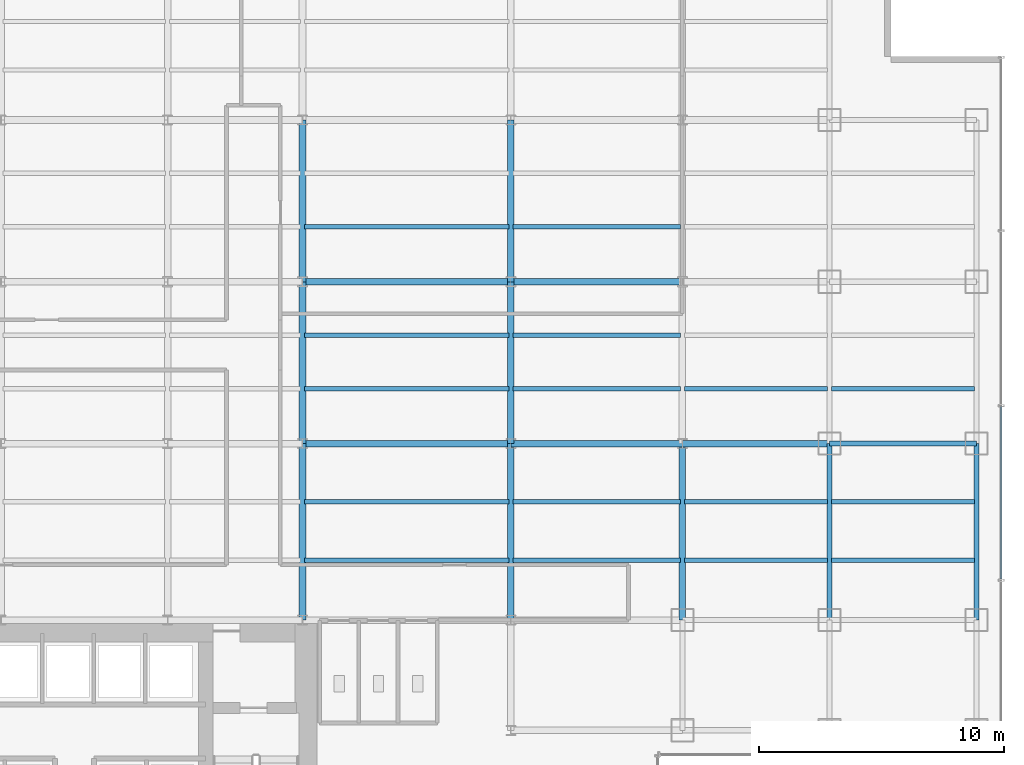
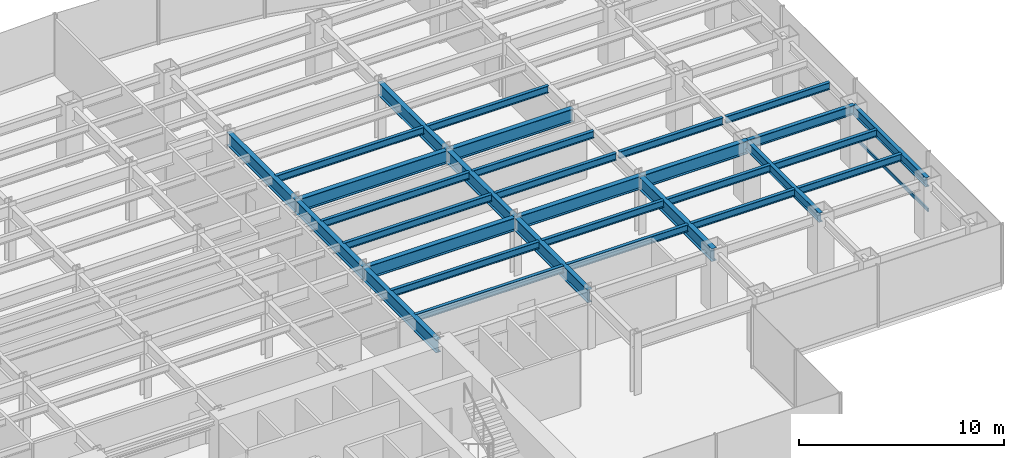
# One storey, part 8 of 23: 31 beams, 1 member, 1 element without a shape of its own.
"""IFC4 building model written with IfcOpenShell, lengths in metres."""

import ifcopenshell
import ifcopenshell.guid

model = None  # the IFC model being written
_history = None  # IfcOwnerHistory: only IFC2X3 demands one
_inside = {}  # id of a spatial element -> (the spatial element, [elements in it])
_under = {}  # id of a project, library or spatial element -> (it, [spatial elements below it])
_declared = {}  # id of a project -> (the project, [libraries it declares])
_typed = {}  # id of a type object -> (the type object, [elements of that type])
_made_of = {}  # id of a material, layer set ... -> (it, [elements and type objects made of it])


def new_model(schema):
    """Start an empty IFC model of exactly this schema.

    Asked for "IFC4X3", IfcOpenShell would pick the latest addendum, in which some entities
    have other attributes; the version numbers below select the first issue.
    IFC2X3 requires an IfcOwnerHistory on every rooted entity: one is made here for all.
    """
    global model, _history
    if schema == "IFC4X3":
        model = ifcopenshell.file(schema_version=(4, 3, 0, 0))
    else:
        model = ifcopenshell.file(schema=schema)
    _inside.clear()
    _under.clear()
    _declared.clear()
    _typed.clear()
    _made_of.clear()
    _history = None
    if model.schema == "IFC2X3":
        org = make("IfcOrganization", Name="unknown")
        user = make(
            "IfcPersonAndOrganization",
            ThePerson=make("IfcPerson", FamilyName="unknown"),
            TheOrganization=org,
        )
        app = make(
            "IfcApplication",
            ApplicationDeveloper=org,
            Version="unknown",
            ApplicationFullName="unknown",
            ApplicationIdentifier="unknown",
        )
        _history = make(
            "IfcOwnerHistory",
            OwningUser=user,
            OwningApplication=app,
            ChangeAction="ADDED",
            CreationDate=0,
        )
    return model


def make(cls, **values):
    """One entity of the class cls with the attributes given. An attribute that is None is left unset."""
    return model.create_entity(
        cls, **{name: value for name, value in values.items() if value is not None}
    )


def rooted(cls, **values):
    """An entity with a GlobalId (a new one), such as an element, a storey or a relation."""
    return make(cls, GlobalId=ifcopenshell.guid.new(), OwnerHistory=_history, **values)


def si_unit(unit_type, name, prefix=None):
    """IfcSIUnit, for example si_unit("LENGTHUNIT", "METRE", prefix="MILLI")."""
    return make("IfcSIUnit", UnitType=unit_type, Prefix=prefix, Name=name)


def derived_unit(unit_type, elements):
    """IfcDerivedUnit: a product of units, each with its exponent."""
    return make(
        "IfcDerivedUnit",
        Elements=[
            make("IfcDerivedUnitElement", Unit=unit, Exponent=power)
            for unit, power in elements
        ],
        UnitType=unit_type,
    )


def assignment(units):
    """IfcUnitAssignment: the units of a project."""
    return None if units is None else make("IfcUnitAssignment", Units=units)


def point(xyz):
    """IfcCartesianPoint."""
    return None if xyz is None else make("IfcCartesianPoint", Coordinates=xyz)


def direction(xyz):
    """IfcDirection."""
    return None if xyz is None else make("IfcDirection", DirectionRatios=xyz)


def frame(location, z_axis=None, x_axis=None):
    """IfcAxis2Placement3D, a coordinate frame: its origin and axes. An axis left out is left unset."""
    return make(
        "IfcAxis2Placement3D",
        Location=point(location),
        Axis=direction(z_axis),
        RefDirection=direction(x_axis),
    )


def frame_2d(location, x_axis=None):
    """IfcAxis2Placement2D, a coordinate frame in the plane: its origin and x axis."""
    return make(
        "IfcAxis2Placement2D", Location=point(location), RefDirection=direction(x_axis)
    )


def origin():
    """The frame at (0, 0, 0) with its axes left unset."""
    return frame((0.0, 0.0, 0.0))


def origin_2d():
    """The frame at (0, 0) in the plane with its x axis left unset."""
    return frame_2d((0.0, 0.0))


def place(relative_to, where):
    """IfcLocalPlacement: puts the frame where relative to a parent placement (None: the world)."""
    return make(
        "IfcLocalPlacement", PlacementRelTo=relative_to, RelativePlacement=where
    )


def context(
    kind, dimensions, precision=None, world=None, true_north=None, identifier=None
):
    """IfcGeometricRepresentationContext, for example the 3D "Model" context."""
    return make(
        "IfcGeometricRepresentationContext",
        ContextIdentifier=identifier,
        ContextType=kind,
        CoordinateSpaceDimension=dimensions,
        Precision=precision,
        WorldCoordinateSystem=world,
        TrueNorth=true_north,
    )


def subcontext(parent, identifier, kind, view, scale=None):
    """IfcGeometricRepresentationSubContext, for example "Body" below "Model"."""
    return make(
        "IfcGeometricRepresentationSubContext",
        ContextIdentifier=identifier,
        ContextType=kind,
        ParentContext=parent,
        TargetScale=scale,
        TargetView=view,
    )


def project(units=None, contexts=None):
    """IfcProject with its units and contexts."""
    return rooted(
        "IfcProject",
        Name="project",
        RepresentationContexts=contexts,
        UnitsInContext=assignment(units),
    )


def spatial(cls, under=None, at=None, **own):
    """A site, building, storey or space (cls), placed at a placement, below another one or the project."""
    s = rooted(cls, ObjectPlacement=at, **own)
    if under is not None:
        _under.setdefault(under.id(), (under, []))[1].append(s)
    return s


def profile(cls, at=None, kind="AREA", **sizes):
    """A parametric profile (cls). Its sizes go by their IFC names, for example OverallWidth=200.0."""
    return make(cls, ProfileType=kind, Position=at, **sizes)


def hollow_rectangle(**sizes):
    """IfcRectangleHollowProfileDef."""
    return profile("IfcRectangleHollowProfileDef", **sizes)


def i_section(**sizes):
    """IfcIShapeProfileDef."""
    return profile("IfcIShapeProfileDef", **sizes)


def extrude(swept, where, along, depth):
    """IfcExtrudedAreaSolid: the profile swept, set in the frame where, extruded along a direction by depth."""
    return make(
        "IfcExtrudedAreaSolid",
        SweptArea=swept,
        Position=where,
        ExtrudedDirection=direction(along),
        Depth=depth,
    )


def shape(context_of_items, identifier, shape_type, items):
    """IfcShapeRepresentation: the items that make up one representation, for example the "Body"."""
    return make(
        "IfcShapeRepresentation",
        ContextOfItems=context_of_items,
        RepresentationIdentifier=identifier,
        RepresentationType=shape_type,
        Items=items,
    )


def source(mapping_origin, context_of_items, identifier, shape_type, items):
    """IfcRepresentationMap: a shape defined once, which mapped items show again and again."""
    return make(
        "IfcRepresentationMap",
        MappingOrigin=mapping_origin,
        MappedRepresentation=shape(context_of_items, identifier, shape_type, items),
    )


def transform(
    local_origin,
    x_axis=None,
    y_axis=None,
    z_axis=None,
    scale=None,
    scale2=None,
    scale3=None,
    uniform=True,
):
    """IfcCartesianTransformationOperator3D, or its non-uniform kind. x_axis, y_axis, z_axis: its Axis1, 2, 3."""
    if uniform:
        return make(
            "IfcCartesianTransformationOperator3D",
            Axis1=direction(x_axis),
            Axis2=direction(y_axis),
            LocalOrigin=point(local_origin),
            Scale=scale,
            Axis3=direction(z_axis),
        )
    return make(
        "IfcCartesianTransformationOperator3DnonUniform",
        Axis1=direction(x_axis),
        Axis2=direction(y_axis),
        LocalOrigin=point(local_origin),
        Scale=scale,
        Axis3=direction(z_axis),
        Scale2=scale2,
        Scale3=scale3,
    )


def mapped(mapping_source, mapping_target):
    """IfcMappedItem: shows the shape of a source again, moved by a transform."""
    return make(
        "IfcMappedItem", MappingSource=mapping_source, MappingTarget=mapping_target
    )


def material(Name=None, Category=None):
    """IfcMaterial."""
    return make("IfcMaterial", Name=Name, Category=Category)


def material_profile(
    of_material, cross_section, Name=None, Category=None, Priority=None
):
    """IfcMaterialProfile: a cross section and its material."""
    return make(
        "IfcMaterialProfile",
        Name=Name,
        Material=of_material,
        Profile=cross_section,
        Priority=Priority,
        Category=Category,
    )


def profile_set(profiles, Name=None, composite=None):
    """IfcMaterialProfileSet."""
    return make(
        "IfcMaterialProfileSet",
        Name=Name,
        MaterialProfiles=profiles,
        CompositeProfile=composite,
    )


def made_of(thing, what):
    """Note that an element or type object is made of a material, layer set ...; save() writes the relation."""
    if what is not None:
        _made_of.setdefault(what.id(), (what, []))[1].append(thing)
    return thing


def type_object(cls, material=None, **own):
    """A type object (cls), such as IfcWallType, which elements share."""
    return made_of(rooted(cls, **own), material)


def element(
    cls,
    number,
    at=None,
    inside=None,
    cuts=None,
    type_object=None,
    material=None,
    context=None,
    identifier="Body",
    shape_type=None,
    held_by="IfcProductDefinitionShape",
    body=None,
    shapes=None,
    **own,
):
    """One element of the class cls, such as IfcWall. Its Tag is "e" and its number.

    at: its placement. inside: the storey or other place that contains it. cuts: it is an
    opening in that element (IfcRelVoidsElement). A single representation is given by context,
    identifier, shape_type and body (its items); several are given by shapes. held_by: the class
    of the entity that holds the representations. save() writes the other relations.
    """
    e = rooted(cls, Tag="e%d" % number, ObjectPlacement=at, **own)
    if body is not None:
        shapes = [shape(context, identifier, shape_type, body)]
    if shapes is not None:
        e.Representation = make(held_by, Representations=shapes)
    if inside is not None:
        _inside.setdefault(inside.id(), (inside, []))[1].append(e)
    if cuts is not None:
        rooted(
            "IfcRelVoidsElement", RelatingBuildingElement=cuts, RelatedOpeningElement=e
        )
    if type_object is not None:
        _typed.setdefault(type_object.id(), (type_object, []))[1].append(e)
    return made_of(e, material)


def aggregate(whole, parts):
    """IfcRelAggregates: a whole, such as a stair, and the parts it consists of."""
    return rooted("IfcRelAggregates", RelatingObject=whole, RelatedObjects=parts)


def save(model, path):
    """Write the relations noted so far, then the file.

    IfcRelAggregates (storeys below a building ...), IfcRelContainedInSpatialStructure (elements
    in a storey), IfcRelDefinesByType, IfcRelAssociatesMaterial and IfcRelDeclares: one each for
    every whole, place, type object, material and project.
    """
    for whole, parts in _under.values():
        aggregate(whole, parts)
    for where, things in _inside.values():
        rooted(
            "IfcRelContainedInSpatialStructure",
            RelatedElements=things,
            RelatingStructure=where,
        )
    for kind, things in _typed.values():
        rooted("IfcRelDefinesByType", RelatedObjects=things, RelatingType=kind)
    for what, things in _made_of.values():
        rooted("IfcRelAssociatesMaterial", RelatedObjects=things, RelatingMaterial=what)
    for by, libraries in _declared.values():
        rooted("IfcRelDeclares", RelatingContext=by, RelatedDefinitions=libraries)
    model.write(path)


model = new_model("IFC4")

# Units and contexts
model_context = context("Model", 3, precision=1e-05, world=origin(), true_north=direction((0.0, 1.0)))
body_context = subcontext(model_context, "Body", "Model", "MODEL_VIEW")
ifc_project = project(units=[si_unit("LENGTHUNIT", "METRE"), si_unit("AREAUNIT", "SQUARE_METRE"), si_unit("VOLUMEUNIT", "CUBIC_METRE"), si_unit("PLANEANGLEUNIT", "RADIAN"), si_unit("MASSUNIT", "GRAM", prefix="KILO"), derived_unit("THERMALTRANSMITTANCEUNIT", [(si_unit("POWERUNIT", "WATT"), 1), (si_unit("LENGTHUNIT", "METRE"), -2), (si_unit("THERMODYNAMICTEMPERATUREUNIT", "KELVIN"), -1)])], contexts=[model_context])

# Site, building, storey
site_placement = place(None, origin())
site = spatial("IfcSite", under=ifc_project, at=site_placement, CompositionType="ELEMENT")
building_placement = place(site_placement, origin())
building = spatial("IfcBuilding", under=site, at=building_placement, Name="Skarnbrae Concourse Arena and Tower", CompositionType="ELEMENT")
storey_placement = place(building_placement, frame((0.0, 0.0, 43.449951171875)))
storey = spatial("IfcBuildingStorey", under=building, at=storey_placement, Name="L09", CompositionType="ELEMENT", Elevation=43.449951171875)

# Beams
ifc_material_1 = material(Name="Steel CSA G40.21 350W", Category="steel")
ifc_material_profile_1 = material_profile(ifc_material_1, i_section(OverallWidth=0.26806640625, OverallDepth=0.77001953125, WebThickness=0.015625, FlangeThickness=0.025390625, at=origin_2d()), Name="W760X196")
ifc_profile_set_1 = profile_set([ifc_material_profile_1], Name="Steel CSA G40.21 350W")
beam_type_1 = type_object("IfcBeamType", Name="BM-GIRD-W760X196", PredefinedType="BEAM", material=ifc_profile_set_1)
shared_shape_1 = source(origin(), body_context, "Body", "SweptSolid", [
    extrude(i_section(OverallWidth=0.26806640625, OverallDepth=0.77001953125, WebThickness=0.015625, FlangeThickness=0.025390625, at=origin_2d()), origin(), (0.0, 0.0, 1.0), 7.0),
])
for number, where, z_axis, x_axis, name in (
    (1, (42.0, 21.199951171875, 3.01513671875), (1.0, 0.0, 0.0), (0.0, 1.0, 0.0), "L09 Primary E-W girder Y21.2-7"),
    (2, (42.0, 27.800048828125, 3.01513671875), (1.0, 0.0, 0.0), (0.0, 1.0, 0.0), "L09 Primary E-W girder Y27.8-7"),
):
    element("IfcBeam", number, at=place(storey_placement, frame(where, z_axis=z_axis, x_axis=x_axis)), inside=storey, type_object=beam_type_1, Name=name, PredefinedType="BEAM", context=body_context, shape_type="MappedRepresentation", body=[
        mapped(shared_shape_1, transform((0.0, 0.0, 0.0))),
    ])
ifc_material_profile_2 = material_profile(ifc_material_1, i_section(OverallWidth=0.214111328125, OverallDepth=0.549072265625, WebThickness=0.0146484375, FlangeThickness=0.023681640625, at=origin_2d()), Name="W530X138")
ifc_profile_set_2 = profile_set([ifc_material_profile_2], Name="Steel CSA G40.21 350W")
beam_type_2 = type_object("IfcBeamType", Name="BM-SPAN-W530X138", PredefinedType="SPANDREL", material=ifc_profile_set_2)
shared_shape_2 = source(origin(), body_context, "Body", "SweptSolid", [
    extrude(i_section(OverallWidth=0.214111328125, OverallDepth=0.549072265625, WebThickness=0.0146484375, FlangeThickness=0.023681640625, at=origin_2d()), origin(), (0.0, 0.0, 1.0), 6.0),
])
beam_1_placement = place(storey_placement, frame((55.0, 21.199951171875, 3.12548828125), z_axis=(1.0, 0.0, 0.0), x_axis=(0.0, 1.0, 0.0)))
element("IfcBeam", 3, at=beam_1_placement, inside=storey, type_object=beam_type_2, Name="L09 Perimeter spandrel Y21.2-9", PredefinedType="SPANDREL", context=body_context, shape_type="MappedRepresentation", body=[
    mapped(shared_shape_2, transform((0.0, 0.0, 0.0))),
])
shared_shape_3 = source(origin(), body_context, "Body", "SweptSolid", [
    extrude(i_section(OverallWidth=0.26806640625, OverallDepth=0.77001953125, WebThickness=0.015625, FlangeThickness=0.025390625, at=origin_2d()), origin(), (0.0, 0.0, 1.0), 6.60009765625),
])
for number, where, z_axis, x_axis, name in (
    (4, (33.5, 21.199951171875, 3.01513671875), (0.0, 1.0, 0.0), (-1.0, 0.0, 0.0), "L09 Primary N-S girder X33.5-2"),
    (5, (42.0, 21.199951171875, 3.01513671875), (0.0, 1.0, 0.0), (-1.0, 0.0, 0.0), "L09 Primary N-S girder X42.0-3"),
):
    element("IfcBeam", number, at=place(storey_placement, frame(where, z_axis=z_axis, x_axis=x_axis)), inside=storey, type_object=beam_type_1, Name=name, PredefinedType="BEAM", context=body_context, shape_type="MappedRepresentation", body=[
        mapped(shared_shape_3, transform((0.0, 0.0, 0.0))),
    ])
shared_shape_4 = source(origin(), body_context, "Body", "SweptSolid", [
    extrude(i_section(OverallWidth=0.26806640625, OverallDepth=0.77001953125, WebThickness=0.015625, FlangeThickness=0.025390625, at=origin_2d()), origin(), (0.0, 0.0, 1.0), 8.5),
])
for number, where, z_axis, x_axis, name in (
    (6, (33.5, 21.199951171875, 3.01513671875), (1.0, 0.0, 0.0), (0.0, 1.0, 0.0), "L09 Primary E-W girder Y21.2-6"),
    (7, (33.5, 27.800048828125, 3.01513671875), (1.0, 0.0, 0.0), (0.0, 1.0, 0.0), "L09 Primary E-W girder Y27.8-6"),
):
    element("IfcBeam", number, at=place(storey_placement, frame(where, z_axis=z_axis, x_axis=x_axis)), inside=storey, type_object=beam_type_1, Name=name, PredefinedType="BEAM", context=body_context, shape_type="MappedRepresentation", body=[
        mapped(shared_shape_4, transform((0.0, 0.0, 0.0))),
    ])
shared_shape_5 = source(origin(), body_context, "Body", "SweptSolid", [
    extrude(i_section(OverallWidth=0.26806640625, OverallDepth=0.77001953125, WebThickness=0.015625, FlangeThickness=0.025390625, at=origin_2d()), origin(), (0.0, 0.0, 1.0), 6.0),
])
beam_2_placement = place(storey_placement, frame((49.0, 21.199951171875, 3.01513671875), z_axis=(1.0, 0.0, 0.0), x_axis=(0.0, 1.0, 0.0)))
element("IfcBeam", 8, at=beam_2_placement, inside=storey, type_object=beam_type_1, Name="L09 Primary E-W girder Y21.2-8", PredefinedType="BEAM", context=body_context, shape_type="MappedRepresentation", body=[
    mapped(shared_shape_5, transform((0.0, 0.0, 0.0))),
])
shared_shape_6 = source(origin(), body_context, "Body", "SweptSolid", [
    extrude(i_section(OverallWidth=0.214111328125, OverallDepth=0.549072265625, WebThickness=0.0146484375, FlangeThickness=0.023681640625, at=origin_2d()), origin(), (0.0, 0.0, 1.0), 7.199951171875),
])
for number, where, z_axis, x_axis, name in (
    (9, (55.0, 14.0, 3.12548828125), (0.0, 1.0, 0.0), (-1.0, 0.0, 0.0), "L09 Perimeter spandrel X55.0-2"),
    (10, (61.0, 14.0, 3.12548828125), (0.0, 1.0, 0.0), (-1.0, 0.0, 0.0), "L09 Perimeter spandrel X61.0-2"),
):
    element("IfcBeam", number, at=place(storey_placement, frame(where, z_axis=z_axis, x_axis=x_axis)), inside=storey, type_object=beam_type_2, Name=name, PredefinedType="SPANDREL", context=body_context, shape_type="MappedRepresentation", body=[
        mapped(shared_shape_6, transform((0.0, 0.0, 0.0))),
    ])
shared_shape_7 = source(origin(), body_context, "Body", "SweptSolid", [
    extrude(i_section(OverallWidth=0.26806640625, OverallDepth=0.77001953125, WebThickness=0.015625, FlangeThickness=0.025390625, at=origin_2d()), origin(), (0.0, 0.0, 1.0), 7.199951171875),
])
for number, where, z_axis, x_axis, name in (
    (11, (33.5, 14.0, 3.01513671875), (0.0, 1.0, 0.0), (-1.0, 0.0, 0.0), "L09 Primary N-S girder X33.5-1"),
    (12, (42.0, 14.0, 3.01513671875), (0.0, 1.0, 0.0), (-1.0, 0.0, 0.0), "L09 Primary N-S girder X42.0-2"),
    (13, (49.0, 14.0, 3.01513671875), (0.0, 1.0, 0.0), (-1.0, 0.0, 0.0), "L09 Primary N-S girder X49.0-2"),
):
    element("IfcBeam", number, at=place(storey_placement, frame(where, z_axis=z_axis, x_axis=x_axis)), inside=storey, type_object=beam_type_1, Name=name, PredefinedType="BEAM", context=body_context, shape_type="MappedRepresentation", body=[
        mapped(shared_shape_7, transform((0.0, 0.0, 0.0))),
    ])
shared_shape_8 = source(origin(), body_context, "Body", "SweptSolid", [
    extrude(i_section(OverallWidth=0.26806640625, OverallDepth=0.77001953125, WebThickness=0.015625, FlangeThickness=0.025390625, at=origin_2d()), origin(), (0.0, 0.0, 1.0), 6.599853515625),
])
for number, where, z_axis, x_axis, name in (
    (14, (33.5, 27.800048828125, 3.01513671875), (0.0, 1.0, 0.0), (-1.0, 0.0, 0.0), "L09 Primary N-S girder X33.5-3"),
    (15, (42.0, 27.800048828125, 3.01513671875), (0.0, 1.0, 0.0), (-1.0, 0.0, 0.0), "L09 Primary N-S girder X42.0-4"),
):
    element("IfcBeam", number, at=place(storey_placement, frame(where, z_axis=z_axis, x_axis=x_axis)), inside=storey, type_object=beam_type_1, Name=name, PredefinedType="BEAM", context=body_context, shape_type="MappedRepresentation", body=[
        mapped(shared_shape_8, transform((0.0, 0.0, 0.0))),
    ])
ifc_material_profile_3 = material_profile(ifc_material_1, i_section(OverallWidth=0.180908203125, OverallDepth=0.4169921875, WebThickness=0.010986328125, FlangeThickness=0.018310546875, at=origin_2d()), Name="W410X85")
ifc_profile_set_3 = profile_set([ifc_material_profile_3], Name="Steel CSA G40.21 350W")
beam_type_3 = type_object("IfcBeamType", Name="BM-JOIST-W410X85", PredefinedType="JOIST", material=ifc_profile_set_3)
shared_shape_9 = source(origin(), body_context, "Body", "SweptSolid", [
    extrude(i_section(OverallWidth=0.180908203125, OverallDepth=0.4169921875, WebThickness=0.010986328125, FlangeThickness=0.018310546875, at=origin_2d()), origin(), (0.0, 0.0, 1.0), 8.33984375),
])
for number, where, z_axis, x_axis, name in (
    (16, (33.580078125, 16.447998046875, 3.191650390625), (1.0, 0.0, 0.0), (0.0, 1.0, 0.0), "L09 Secondary floor joist 1.1.6"),
    (17, (33.580078125, 18.823974609375, 3.191650390625), (1.0, 0.0, 0.0), (0.0, 1.0, 0.0), "L09 Secondary floor joist 1.2.6"),
    (18, (33.580078125, 23.444091796875, 3.191650390625), (1.0, 0.0, 0.0), (0.0, 1.0, 0.0), "L09 Secondary floor joist 2.1.6"),
    (19, (33.580078125, 25.6220703125, 3.191650390625), (1.0, 0.0, 0.0), (0.0, 1.0, 0.0), "L09 Secondary floor joist 2.2.6"),
    (20, (33.580078125, 30.0439453125, 3.191650390625), (1.0, 0.0, 0.0), (0.0, 1.0, 0.0), "L09 Secondary floor joist 3.1.6"),
):
    element("IfcBeam", number, at=place(storey_placement, frame(where, z_axis=z_axis, x_axis=x_axis)), inside=storey, type_object=beam_type_3, Name=name, PredefinedType="JOIST", context=body_context, shape_type="MappedRepresentation", body=[
        mapped(shared_shape_9, transform((0.0, 0.0, 0.0))),
    ])
shared_shape_10 = source(origin(), body_context, "Body", "SweptSolid", [
    extrude(i_section(OverallWidth=0.180908203125, OverallDepth=0.4169921875, WebThickness=0.010986328125, FlangeThickness=0.018310546875, at=origin_2d()), origin(), (0.0, 0.0, 1.0), 6.83984375),
])
for number, where, z_axis, x_axis, name in (
    (21, (42.080078125, 16.447998046875, 3.191650390625), (1.0, 0.0, 0.0), (0.0, 1.0, 0.0), "L09 Secondary floor joist 1.1.7"),
    (22, (42.080078125, 18.823974609375, 3.191650390625), (1.0, 0.0, 0.0), (0.0, 1.0, 0.0), "L09 Secondary floor joist 1.2.7"),
    (23, (42.080078125, 23.444091796875, 3.191650390625), (1.0, 0.0, 0.0), (0.0, 1.0, 0.0), "L09 Secondary floor joist 2.1.7"),
    (24, (42.080078125, 25.6220703125, 3.191650390625), (1.0, 0.0, 0.0), (0.0, 1.0, 0.0), "L09 Secondary floor joist 2.2.7"),
    (25, (42.080078125, 30.0439453125, 3.191650390625), (1.0, 0.0, 0.0), (0.0, 1.0, 0.0), "L09 Secondary floor joist 3.1.7"),
):
    element("IfcBeam", number, at=place(storey_placement, frame(where, z_axis=z_axis, x_axis=x_axis)), inside=storey, type_object=beam_type_3, Name=name, PredefinedType="JOIST", context=body_context, shape_type="MappedRepresentation", body=[
        mapped(shared_shape_10, transform((0.0, 0.0, 0.0))),
    ])
shared_shape_11 = source(origin(), body_context, "Body", "SweptSolid", [
    extrude(i_section(OverallWidth=0.180908203125, OverallDepth=0.4169921875, WebThickness=0.010986328125, FlangeThickness=0.018310546875, at=origin_2d()), origin(), (0.0, 0.0, 1.0), 5.83984375),
])
for number, where, z_axis, x_axis, name in (
    (26, (49.080078125, 16.447998046875, 3.191650390625), (1.0, 0.0, 0.0), (0.0, 1.0, 0.0), "L09 Secondary floor joist 1.1.8"),
    (27, (55.080078125, 16.447998046875, 3.191650390625), (1.0, 0.0, 0.0), (0.0, 1.0, 0.0), "L09 Secondary floor joist 1.1.9"),
    (28, (49.080078125, 18.823974609375, 3.191650390625), (1.0, 0.0, 0.0), (0.0, 1.0, 0.0), "L09 Secondary floor joist 1.2.8"),
    (29, (55.080078125, 18.823974609375, 3.191650390625), (1.0, 0.0, 0.0), (0.0, 1.0, 0.0), "L09 Secondary floor joist 1.2.9"),
    (30, (49.080078125, 23.444091796875, 3.191650390625), (1.0, 0.0, 0.0), (0.0, 1.0, 0.0), "L09 Secondary floor joist 2.1.8"),
    (31, (55.080078125, 23.444091796875, 3.191650390625), (1.0, 0.0, 0.0), (0.0, 1.0, 0.0), "L09 Secondary floor joist 2.1.9"),
):
    element("IfcBeam", number, at=place(storey_placement, frame(where, z_axis=z_axis, x_axis=x_axis)), inside=storey, type_object=beam_type_3, Name=name, PredefinedType="JOIST", context=body_context, shape_type="MappedRepresentation", body=[
        mapped(shared_shape_11, transform((0.0, 0.0, 0.0))),
    ])

# Curtain wall, member
ifc_material_2 = material(Name="Bronze anodised aluminium 6063-T6", Category="aluminium")
curtain_wall_type = type_object("IfcCurtainWallType", Name="CW-SYS-02-LOWZONE", PredefinedType="USERDEFINED", material=ifc_material_2)
curtain_wall_placement = place(storey_placement, origin())
curtain_wall = element("IfcCurtainWall", 32, at=curtain_wall_placement, inside=storey, type_object=curtain_wall_type, Name="L09 Unitised curtain wall CW-L09-E04", ObjectType="UNITISED CURTAIN WALL", PredefinedType="USERDEFINED")
ifc_material_profile_4 = material_profile(ifc_material_2, hollow_rectangle(XDim=0.080078125, YDim=0.18994140625, WallThickness=0.0048828125, at=origin_2d()), Name="ALU-TRAN-80X190")
ifc_profile_set_4 = profile_set([ifc_material_profile_4], Name="Bronze anodised aluminium 6063-T6")
member_type = type_object("IfcMemberType", Name="CWT-CW-02", PredefinedType="USERDEFINED", material=ifc_profile_set_4)
shared_shape_12 = source(origin(), body_context, "Body", "SweptSolid", [
    extrude(hollow_rectangle(XDim=0.080078125, YDim=0.18994140625, WallThickness=0.0048828125, at=origin_2d()), origin(), (0.0, 0.0, 1.0), 7.044921875),
])
member_placement = place(storey_placement, frame((62.0, 15.6650390625, 0.094970703125), z_axis=(0.0, 1.0, 0.0), x_axis=(-1.0, 0.0, 0.0)))
member = element("IfcMember", 33, at=member_placement, type_object=member_type, Name="CW-L09-E04 Transom 2", ObjectType="TRANSOM", PredefinedType="USERDEFINED", context=body_context, shape_type="MappedRepresentation", body=[
    mapped(shared_shape_12, transform((0.0, 0.0, 0.0))),
])
aggregate(curtain_wall, [member])

save(model, "model.ifc")
